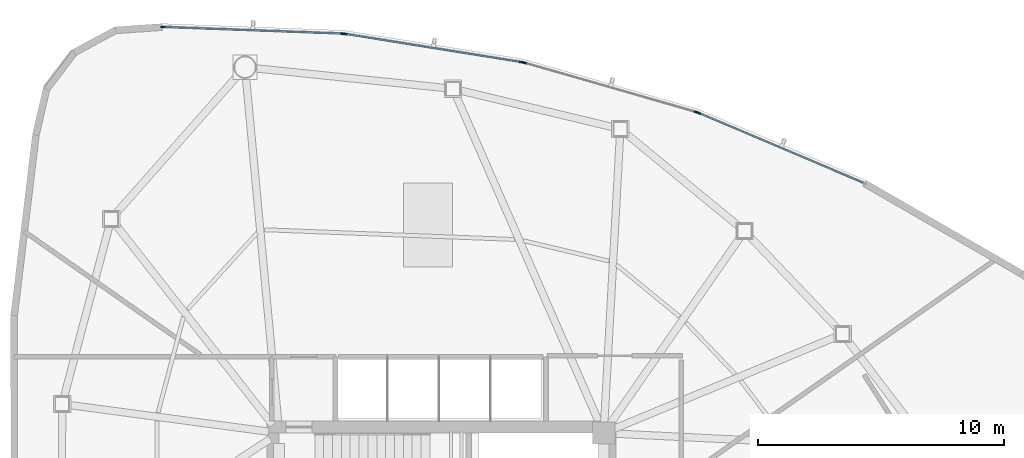
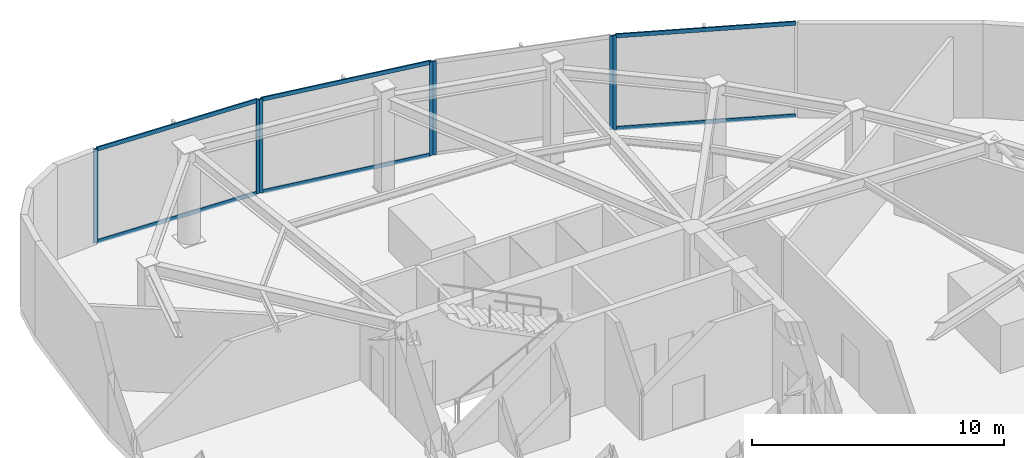
# One storey, part 8 of 17: 13 members, 4 elements without a shape of their own.
"""IFC4 building model written with IfcOpenShell, lengths in metres."""

from ifc_helpers import new_model, si_unit, direction, frame, origin, origin_2d, place, context, subcontext, project, spatial, hollow_rectangle, extrude, source, transform, mapped, material, layer, layer_set, material_profile, profile_set, type_object, type_shapes, element, aggregate, save


model = new_model("IFC4")

# Units and contexts
model_context = context("Model", 3, precision=1e-05, world=origin(), true_north=direction((0.0, 1.0)))
body_context = subcontext(model_context, "Body", "Model", "MODEL_VIEW")
ifc_project = project(units=[si_unit("LENGTHUNIT", "METRE"), si_unit("AREAUNIT", "SQUARE_METRE"), si_unit("VOLUMEUNIT", "CUBIC_METRE"), si_unit("PLANEANGLEUNIT", "RADIAN"), si_unit("MASSUNIT", "GRAM", prefix="KILO")], contexts=[model_context])

# Site, building, storey
site_placement = place(None, origin())
site = spatial("IfcSite", under=ifc_project, at=site_placement, CompositionType="ELEMENT")
building_placement = place(site_placement, origin())
building = spatial("IfcBuilding", under=site, at=building_placement, Name="Tavelor Broadcast Tower", CompositionType="ELEMENT")
storey_placement = place(building_placement, frame((0.0, 0.0, 204.14990234375)))
storey = spatial("IfcBuildingStorey", under=building, at=storey_placement, Name="L49", CompositionType="ELEMENT", Elevation=204.14990234375)

# Curtain wall, members
ifc_material = material(Name="Architectural Anodized Aluminium", Category="aluminium")
ifc_layer = layer(ifc_material, 0.18994140625)
ifc_layer_set = layer_set([ifc_layer], Name="Architectural Anodized Aluminium")
curtain_wall_type = type_object("IfcCurtainWallType", Name="Tower Mid-Zone Acoustic Curtain Wall CW03", PredefinedType="NOTDEFINED", material=ifc_layer_set)
curtain_wall_1_placement = place(storey_placement, origin())
curtain_wall_1 = element("IfcCurtainWall", 1, at=curtain_wall_1_placement, inside=storey, type_object=curtain_wall_type, Name="L49 Curtain Wall CW03 Run 540", PredefinedType="NOTDEFINED")
ifc_material_profile_1 = material_profile(ifc_material, hollow_rectangle(XDim=0.068115234375, YDim=0.18994140625, WallThickness=0.02197265625, at=origin_2d()), Name="RHS 68x190x22")
ifc_profile_set_1 = profile_set([ifc_material_profile_1], Name="Architectural Anodized Aluminium")
member_type_1 = type_object("IfcMemberType", Name="CW03 Extruded Aluminium Transom 68x190", PredefinedType="USERDEFINED", material=ifc_profile_set_1)
shared_shape_1 = source(origin(), body_context, "Body", "SweptSolid", [
    extrude(hollow_rectangle(XDim=0.068115234375, YDim=0.18994140625, WallThickness=0.02197265625, at=origin_2d()), origin(), (0.0, 0.0, 1.0), 7.235595703125),
])
member_1_placement = place(storey_placement, frame((45.937744140625, 67.4453125, 0.0341796875), z_axis=(-0.999312242959, 0.037081546241, 0.0), x_axis=(-0.037081546241, -0.999312242959, 0.0)))
member_1 = element("IfcMember", 2, at=member_1_placement, type_object=member_type_1, Name="CW03 transom 1.1", ObjectType="TRANSOM", PredefinedType="USERDEFINED", context=body_context, shape_type="MappedRepresentation", body=[
    mapped(shared_shape_1, transform((0.0, 0.0, 0.0), scale=1.0)),
])
member_2_placement = place(storey_placement, frame((45.937744140625, 67.4453125, 4.51611328125), z_axis=(-0.999312242959, 0.037081546241, 0.0), x_axis=(-0.037081546241, -0.999312242959, 0.0)))
member_2 = element("IfcMember", 3, at=member_2_placement, type_object=member_type_1, Name="CW03 transom 1.2", ObjectType="TRANSOM", PredefinedType="USERDEFINED", context=body_context, shape_type="MappedRepresentation", body=[
    mapped(shared_shape_1, transform((0.0, 0.0, 0.0), scale=1.0)),
])

# Curtain wall, member
curtain_wall_2_placement = place(storey_placement, origin())
curtain_wall_2 = element("IfcCurtainWall", 4, at=curtain_wall_2_placement, inside=storey, type_object=curtain_wall_type, Name="L49 Curtain Wall CW03 Run 537", PredefinedType="NOTDEFINED")
ifc_material_profile_2 = material_profile(ifc_material, hollow_rectangle(XDim=0.068115234375, YDim=0.18994140625, WallThickness=0.02197265625, at=origin_2d()), Name="RHS 68x190x22")
ifc_profile_set_2 = profile_set([ifc_material_profile_2], Name="Architectural Anodized Aluminium")
member_type_2 = type_object("IfcMemberType", Name="CW03 Extruded Aluminium Mullion 68x190", PredefinedType="MULLION", material=ifc_profile_set_2)
shared_shape_2 = source(origin(), body_context, "Body", "SweptSolid", [
    extrude(hollow_rectangle(XDim=0.068115234375, YDim=0.18994140625, WallThickness=0.02197265625, at=origin_2d()), origin(), (0.0, 0.0, 1.0), 4.550048828125),
])
type_shapes(member_type_2, [shared_shape_2])
member_3_placement = place(storey_placement, frame((60.4580078125, 64.219482421875, 0.0), z_axis=(0.0, 0.0, 1.0), x_axis=(-0.390341831167, -0.920670003227, 0.0)))
member_3 = element("IfcMember", 5, at=member_3_placement, type_object=member_type_2, Name="CW03 mullion 2", PredefinedType="MULLION", context=body_context, shape_type="MappedRepresentation", body=[
    mapped(shared_shape_2, transform((0.0, 0.0, 0.0), scale=1.0)),
])

# Curtain wall, members
curtain_wall_3_placement = place(storey_placement, origin())
curtain_wall_3 = element("IfcCurtainWall", 6, at=curtain_wall_3_placement, inside=storey, type_object=curtain_wall_type, Name="L49 Curtain Wall CW03 Run 538", PredefinedType="NOTDEFINED")
member_4_placement = place(storey_placement, frame((60.36572265625, 64.252197265625, 0.0), z_axis=(0.0, 0.0, 1.0), x_axis=(-0.276053140751, -0.961142374199, 0.0)))
member_4 = element("IfcMember", 7, at=member_4_placement, type_object=member_type_2, Name="CW03 mullion 1", PredefinedType="MULLION", context=body_context, shape_type="MappedRepresentation", body=[
    mapped(shared_shape_2, transform((0.0, 0.0, 0.0), scale=1.0)),
])
member_5_placement = place(storey_placement, frame((53.361083984375, 66.263916015625, 0.0), z_axis=(0.0, 0.0, 1.0), x_axis=(-0.276053140751, -0.961142374199, 0.0)))
member_5 = element("IfcMember", 8, at=member_5_placement, type_object=member_type_2, Name="CW03 mullion 2", PredefinedType="MULLION", context=body_context, shape_type="MappedRepresentation", body=[
    mapped(shared_shape_2, transform((0.0, 0.0, 0.0), scale=1.0)),
])
aggregate(curtain_wall_3, [member_4, member_5])

curtain_wall_4_placement = place(storey_placement, origin())
curtain_wall_4 = element("IfcCurtainWall", 9, at=curtain_wall_4_placement, inside=storey, type_object=curtain_wall_type, Name="L49 Curtain Wall CW03 Run 539", PredefinedType="NOTDEFINED")
member_6_placement = place(storey_placement, frame((53.265625, 66.28515625, 0.0), z_axis=(0.0, 0.0, 1.0), x_axis=(-0.157697817065, -0.987487416878, 0.0)))
member_6 = element("IfcMember", 10, at=member_6_placement, type_object=member_type_2, Name="CW03 mullion 1", PredefinedType="MULLION", context=body_context, shape_type="MappedRepresentation", body=[
    mapped(shared_shape_2, transform((0.0, 0.0, 0.0), scale=1.0)),
])
member_7_placement = place(storey_placement, frame((46.069091796875, 67.4345703125, 0.0), z_axis=(0.0, 0.0, 1.0), x_axis=(-0.157697817065, -0.987487416878, 0.0)))
member_7 = element("IfcMember", 11, at=member_7_placement, type_object=member_type_2, Name="CW03 mullion 2", PredefinedType="MULLION", context=body_context, shape_type="MappedRepresentation", body=[
    mapped(shared_shape_2, transform((0.0, 0.0, 0.0), scale=1.0)),
])

# Member
member_8_placement = place(storey_placement, frame((45.9716796875, 67.444091796875, 0.0), z_axis=(0.0, 0.0, 1.0), x_axis=(-0.037061333006, -0.999312992808, 0.0)))
member_8 = element("IfcMember", 12, at=member_8_placement, type_object=member_type_2, Name="CW03 mullion 1", PredefinedType="MULLION", context=body_context, shape_type="MappedRepresentation", body=[
    mapped(shared_shape_2, transform((0.0, 0.0, 0.0), scale=1.0)),
])

member_9_placement = place(storey_placement, frame((38.673095703125, 67.71484375, 0.0), z_axis=(0.0, 0.0, 1.0), x_axis=(-0.037061333006, -0.999312992808, 0.0)))
member_9 = element("IfcMember", 13, at=member_9_placement, type_object=member_type_2, Name="CW03 mullion 2", PredefinedType="MULLION", context=body_context, shape_type="MappedRepresentation", body=[
    mapped(shared_shape_2, transform((0.0, 0.0, 0.0), scale=1.0)),
])

aggregate(curtain_wall_1, [member_8, member_9, member_1, member_2])

shared_shape_3 = source(origin(), body_context, "Body", "SweptSolid", [
    extrude(hollow_rectangle(XDim=0.068115234375, YDim=0.18994140625, WallThickness=0.02197265625, at=origin_2d()), origin(), (0.0, 0.0, 1.0), 7.234619140625),
])
member_10_placement = place(storey_placement, frame((67.14990234375, 61.38232421875, 0.0341796875), z_axis=(-0.920668895544, 0.390344443764, 0.0), x_axis=(-0.390344443764, -0.920668895544, 0.0)))
member_10 = element("IfcMember", 14, at=member_10_placement, type_object=member_type_1, Name="CW03 transom 1.1", ObjectType="TRANSOM", PredefinedType="USERDEFINED", context=body_context, shape_type="MappedRepresentation", body=[
    mapped(shared_shape_3, transform((0.0, 0.0, 0.0), scale=1.0)),
])

member_11_placement = place(storey_placement, frame((67.14990234375, 61.38232421875, 4.51611328125), z_axis=(-0.920668895544, 0.390344443764, 0.0), x_axis=(-0.390344443764, -0.920668895544, 0.0)))
member_11 = element("IfcMember", 15, at=member_11_placement, type_object=member_type_1, Name="CW03 transom 1.2", ObjectType="TRANSOM", PredefinedType="USERDEFINED", context=body_context, shape_type="MappedRepresentation", body=[
    mapped(shared_shape_3, transform((0.0, 0.0, 0.0), scale=1.0)),
])

aggregate(curtain_wall_2, [member_3, member_10, member_11])

shared_shape_4 = source(origin(), body_context, "Body", "SweptSolid", [
    extrude(hollow_rectangle(XDim=0.068115234375, YDim=0.18994140625, WallThickness=0.02197265625, at=origin_2d()), origin(), (0.0, 0.0, 1.0), 7.2197265625),
])
type_shapes(member_type_1, [shared_shape_1, shared_shape_3, shared_shape_4])
member_12_placement = place(storey_placement, frame((53.23193359375, 66.29052734375, 0.0341796875), z_axis=(-0.98748448557, 0.157716171519, 0.0), x_axis=(-0.157716171519, -0.98748448557, 0.0)))
member_12 = element("IfcMember", 16, at=member_12_placement, type_object=member_type_1, Name="CW03 transom 1.1", ObjectType="TRANSOM", PredefinedType="USERDEFINED", context=body_context, shape_type="MappedRepresentation", body=[
    mapped(shared_shape_4, transform((0.0, 0.0, 0.0), scale=1.0)),
])

member_13_placement = place(storey_placement, frame((53.23193359375, 66.29052734375, 4.51611328125), z_axis=(-0.98748448557, 0.157716171519, 0.0), x_axis=(-0.157716171519, -0.98748448557, 0.0)))
member_13 = element("IfcMember", 17, at=member_13_placement, type_object=member_type_1, Name="CW03 transom 1.2", ObjectType="TRANSOM", PredefinedType="USERDEFINED", context=body_context, shape_type="MappedRepresentation", body=[
    mapped(shared_shape_4, transform((0.0, 0.0, 0.0), scale=1.0)),
])

aggregate(curtain_wall_4, [member_6, member_7, member_12, member_13])

save(model, "model.ifc")
